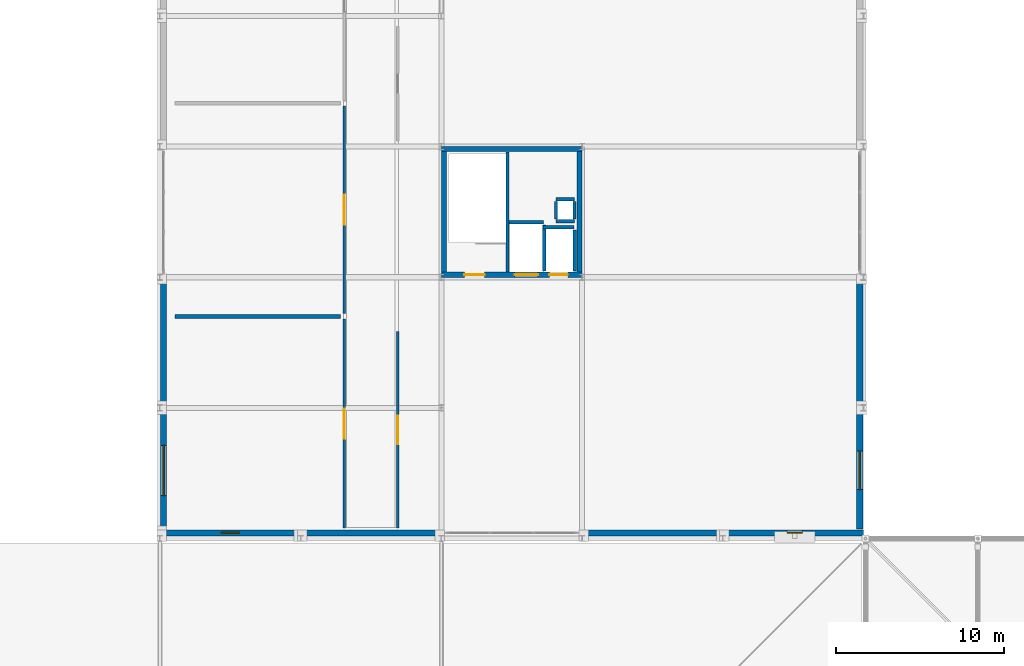
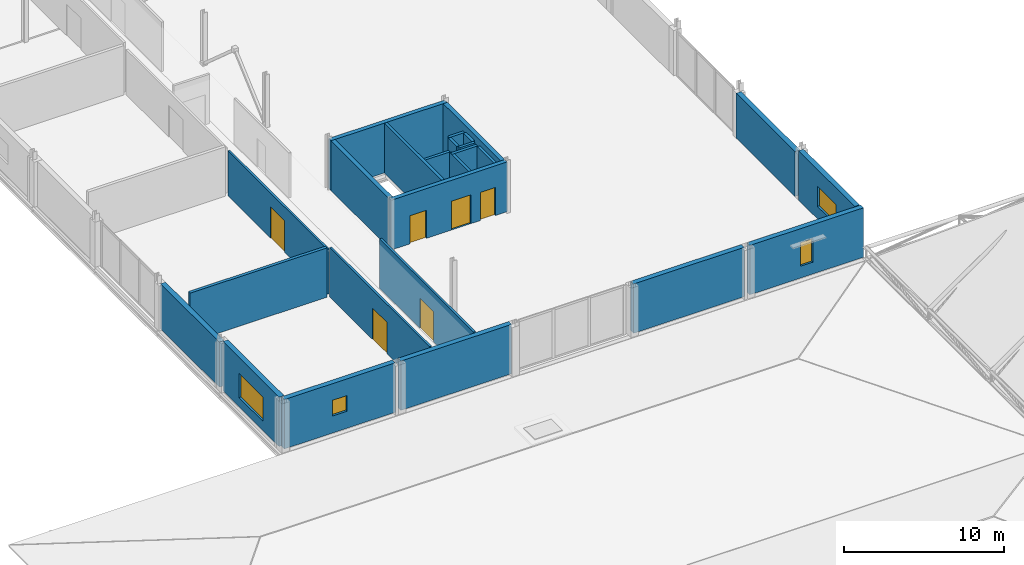
# One storey, part 55 of 77: 25 walls, 6 doors, 4 windows, 10 openings.
"""IFC4 building model written with IfcOpenShell, lengths in metres."""

from ifc_helpers import new_model, si_unit, direction, frame, frame_2d, origin, place, context, subcontext, project, spatial, rectangle, extrude, material, layer, layer_set, type_object, element, fill, save


model = new_model("IFC4")

# Units and contexts
model_context = context("Model", 3, precision=1e-05, world=origin(), true_north=direction((0.0, 1.0)))
body_context = subcontext(model_context, "Body", "Model", "MODEL_VIEW")
ifc_project = project(units=[si_unit("LENGTHUNIT", "METRE"), si_unit("AREAUNIT", "SQUARE_METRE"), si_unit("VOLUMEUNIT", "CUBIC_METRE"), si_unit("PLANEANGLEUNIT", "RADIAN"), si_unit("MASSUNIT", "GRAM", prefix="KILO")], contexts=[model_context])

# Site, building, storey
site_placement = place(None, origin())
site = spatial("IfcSite", under=ifc_project, at=site_placement, CompositionType="ELEMENT")
building_placement = place(site_placement, origin())
building = spatial("IfcBuilding", under=site, at=building_placement, Name="Nabrawat Pavilion Hospital", CompositionType="ELEMENT")
storey_placement = place(building_placement, frame((0.0, 0.0, 14.85009765625)))
storey = spatial("IfcBuildingStorey", under=building, at=storey_placement, Name="L03", CompositionType="ELEMENT", Elevation=14.85009765625)

# Wall, opening, door
ifc_material_1 = material(Name="Gypsum Fireboard on Steel Stud", Category="steel")
ifc_layer_1 = layer(ifc_material_1, 0.14990234375, Name="Gypsum Fireboard on Steel Stud")
ifc_layer_set_1 = layer_set([ifc_layer_1], Name="Gypsum Fireboard on Steel Stud")
wall_type_1 = type_object("IfcWallType", Name="Clinical Corridor Smoke-Barrier Wall 150", PredefinedType="PARTITIONING", material=ifc_layer_set_1)
wall_1_placement = place(storey_placement, frame((27.81005859375, 39.6201171875, 0.0), z_axis=(0.0, 0.0, 1.0), x_axis=(0.0, 1.0, 0.0)))
wall_1 = element("IfcWall", 1, at=wall_1_placement, inside=storey, type_object=wall_type_1, Name="L03 Operating Theatre 13 Burns Grafting L03-01 Front Partition", PredefinedType="PARTITIONING", context=body_context, shape_type="SweptSolid", body=[
    extrude(rectangle(XDim=12.482421875, YDim=0.14990234375, at=frame_2d((6.2412109375, 0.0))), origin(), (0.0, 0.0, 1.0), 3.77001953125),
])
opening_1_placement = place(wall_1_placement, frame((5.34130859375, 0.0, 0.0)))
opening_1 = element("IfcOpeningElement", 2, at=opening_1_placement, cuts=wall_1, Name="Opening D-OR", PredefinedType="OPENING", context=body_context, shape_type="SweptSolid", body=[
    extrude(rectangle(XDim=1.800048828125, YDim=2.39990234375, at=frame_2d((0.89990234375, 1.199951171875))), frame((0.0, 0.0849609375, 0.0), z_axis=(0.0, -1.0, 0.0), x_axis=(1.0, 0.0, 0.0)), (0.0, 0.0, 1.0), 0.169921875),
])
ifc_material_2 = material(Name="Stainless-Clad Acoustic Timber and Vision Glass", Category="wood")
door_type_1 = type_object("IfcDoorType", Name="D-OR Hermetic Operating Theatre Automatic Door 1800x2400", OperationType="DOUBLE_DOOR_SLIDING", PredefinedType="DOOR", material=ifc_material_2)
door_1_placement = place(opening_1_placement, origin())
door_1 = element("IfcDoor", 3, at=door_1_placement, inside=storey, type_object=door_type_1, Name="Operating Theatre 13 Burns Grafting L03-01 Door", OperationType="DOUBLE_DOOR_SLIDING", OverallHeight=2.39990234375, OverallWidth=1.800048828125, PredefinedType="DOOR", context=body_context, shape_type="SweptSolid", body=[
    extrude(rectangle(XDim=1.800048828125, YDim=2.39990234375, at=frame_2d((0.89990234375, 1.199951171875))), frame((0.0, 0.02490234375, 0.0), z_axis=(0.0, -1.0, 0.0), x_axis=(1.0, 0.0, 0.0)), (0.0, 0.0, 1.0), 0.050048828125),
])
fill(opening_1, door_1)

wall_2_placement = place(storey_placement, frame((27.81005859375, 52.422607421875, 0.0), z_axis=(0.0, 0.0, 1.0), x_axis=(0.0, 1.0, 0.0)))
wall_2 = element("IfcWall", 4, at=wall_2_placement, inside=storey, type_object=wall_type_1, Name="L03 Operating Theatre 14 Spine Navigation L03-02 Front Partition", PredefinedType="PARTITIONING", context=body_context, shape_type="SweptSolid", body=[
    extrude(rectangle(XDim=12.40234375, YDim=0.14990234375, at=frame_2d((6.201171875, 0.0))), origin(), (0.0, 0.0, 1.0), 3.43994140625),
])
opening_2_placement = place(wall_2_placement, frame((5.30126953125, 0.0, 0.0)))
opening_2 = element("IfcOpeningElement", 5, at=opening_2_placement, cuts=wall_2, Name="Opening D-OR", PredefinedType="OPENING", context=body_context, shape_type="SweptSolid", body=[
    extrude(rectangle(XDim=1.800048828125, YDim=2.39990234375, at=frame_2d((0.89990234375, 1.199951171875))), frame((0.0, 0.0849609375, 0.0), z_axis=(0.0, -1.0, 0.0), x_axis=(1.0, 0.0, 0.0)), (0.0, 0.0, 1.0), 0.169921875),
])
door_2_placement = place(opening_2_placement, origin())
door_2 = element("IfcDoor", 6, at=door_2_placement, inside=storey, type_object=door_type_1, Name="Operating Theatre 14 Spine Navigation L03-02 Door", OperationType="DOUBLE_DOOR_SLIDING", OverallHeight=2.39990234375, OverallWidth=1.800048828125, PredefinedType="DOOR", context=body_context, shape_type="SweptSolid", body=[
    extrude(rectangle(XDim=1.800048828125, YDim=2.39990234375, at=frame_2d((0.89990234375, 1.199951171875))), frame((0.0, 0.02490234375, 0.0), z_axis=(0.0, -1.0, 0.0), x_axis=(1.0, 0.0, 0.0)), (0.0, 0.0, 1.0), 0.050048828125),
])
fill(opening_2, door_2)

wall_3_placement = place(storey_placement, frame((30.989990234375, 39.6201171875, 0.0), z_axis=(0.0, 0.0, 1.0), x_axis=(0.0, 1.0, 0.0)))
wall_3 = element("IfcWall", 7, at=wall_3_placement, inside=storey, type_object=wall_type_1, Name="L03 Intensive Care Pod Burns Step-Down L03-05 Front Partition", PredefinedType="PARTITIONING", context=body_context, shape_type="SweptSolid", body=[
    extrude(rectangle(XDim=11.72998046875, YDim=0.14990234375, at=frame_2d((5.864990234375, 0.0))), origin(), (0.0, 0.0, 1.0), 3.77001953125),
])
opening_3_placement = place(wall_3_placement, frame((5.014892578125, 0.0, 0.0)))
opening_3 = element("IfcOpeningElement", 8, at=opening_3_placement, cuts=wall_3, Name="Opening D-ICU", PredefinedType="OPENING", context=body_context, shape_type="SweptSolid", body=[
    extrude(rectangle(XDim=1.699951171875, YDim=2.300048828125, at=frame_2d((0.85009765625, 1.14990234375))), frame((0.0, 0.0849609375, 0.0), z_axis=(0.0, -1.0, 0.0), x_axis=(1.0, 0.0, 0.0)), (0.0, 0.0, 1.0), 0.169921875),
])
door_type_2 = type_object("IfcDoorType", Name="Intensive Care Glazed Breakout Door 1700x2300", OperationType="DOUBLE_DOOR_SLIDING", PredefinedType="DOOR", material=ifc_material_2)
door_3_placement = place(opening_3_placement, origin())
door_3 = element("IfcDoor", 9, at=door_3_placement, inside=storey, type_object=door_type_2, Name="Intensive Care Pod Burns Step-Down L03-05 Door", OperationType="DOUBLE_DOOR_SLIDING", OverallHeight=2.300048828125, OverallWidth=1.699951171875, PredefinedType="DOOR", context=body_context, shape_type="SweptSolid", body=[
    extrude(rectangle(XDim=1.699951171875, YDim=2.300048828125, at=frame_2d((0.85009765625, 1.14990234375))), frame((0.0, 0.02490234375, 0.0), z_axis=(0.0, -1.0, 0.0), x_axis=(1.0, 0.0, 0.0)), (0.0, 0.0, 1.0), 0.050048828125),
])
fill(opening_3, door_3)

# Walls
ifc_material_3 = material(Name="Concrete C35/45", Category="concrete")
ifc_layer_2 = layer(ifc_material_3, 0.199951171875, Name="Concrete C35/45")
ifc_layer_set_2 = layer_set([ifc_layer_2], Name="Concrete C35/45")
wall_type_2 = type_object("IfcWallType", Name="Lift and Riser Fire Shaft Wall 200", PredefinedType="PARTITIONING", material=ifc_layer_set_2)
wall_4_placement = place(storey_placement, frame((37.550048828125, 54.919921875, 0.0), z_axis=(0.0, 0.0, 1.0), x_axis=(0.0, 1.0, 0.0)))
element("IfcWall", 10, at=wall_4_placement, inside=storey, type_object=wall_type_2, Name="L03 CORE-2 Stair-Lift Dividing Shear Wall", PredefinedType="SHEAR", context=body_context, shape_type="SweptSolid", body=[
    extrude(rectangle(XDim=7.16015625, YDim=0.199951171875, at=frame_2d((3.580078125, 0.0))), origin(), (0.0, 0.0, 1.0), 3.7998046875),
])
for number, where, z_axis, x_axis, name in (
    (11, (40.449951171875, 57.949951171875, 0.0), (0.0, 0.0, 1.0), (1.0, 0.0, 0.0), "L03 CORE-2 MEP Riser Shaft Wall S"),
    (12, (40.449951171875, 59.25, 0.0), (0.0, 0.0, 1.0), (1.0, 0.0, 0.0), "L03 CORE-2 MEP Riser Shaft Wall N"),
):
    element("IfcWall", number, at=place(storey_placement, frame(where, z_axis=z_axis, x_axis=x_axis)), inside=storey, type_object=wall_type_2, Name=name, PredefinedType="PARTITIONING", context=body_context, shape_type="SweptSolid", body=[
        extrude(rectangle(XDim=1.10009765625, YDim=0.199951171875, at=frame_2d((0.550048828125, 0.0))), origin(), (0.0, 0.0, 1.0), 3.43994140625),
    ])
for number, where, z_axis, x_axis, name in (
    (13, (40.449951171875, 58.070068359375, 0.0), (0.0, 0.0, 1.0), (0.0, 1.0, 0.0), "L03 CORE-2 MEP Riser Shaft Wall W"),
    (14, (41.550048828125, 58.070068359375, 0.0), (0.0, 0.0, 1.0), (0.0, 1.0, 0.0), "L03 CORE-2 MEP Riser Shaft Wall E"),
):
    element("IfcWall", number, at=place(storey_placement, frame(where, z_axis=z_axis, x_axis=x_axis)), inside=storey, type_object=wall_type_2, Name=name, PredefinedType="PARTITIONING", context=body_context, shape_type="SweptSolid", body=[
        extrude(rectangle(XDim=1.059814453125, YDim=0.199951171875, at=frame_2d((0.52978515625, 0.0))), origin(), (0.0, 0.0, 1.0), 3.43994140625),
    ])
wall_5_placement = place(storey_placement, frame((39.739990234375, 54.97998046875, 0.0), z_axis=(0.0, 0.0, 1.0), x_axis=(0.0, 1.0, 0.0)))
element("IfcWall", 15, at=wall_5_placement, inside=storey, type_object=wall_type_2, Name="L03 Lift LB-01 Shaft East Wall", PredefinedType="PARTITIONING", context=body_context, shape_type="SweptSolid", body=[
    extrude(rectangle(XDim=2.739990234375, YDim=0.199951171875, at=frame_2d((1.3701171875, 0.0))), origin(), (0.0, 0.0, 1.0), 3.43994140625),
])
wall_6_placement = place(storey_placement, frame((37.64990234375, 57.8798828125, 0.0), z_axis=(0.0, 0.0, 1.0), x_axis=(1.0, 0.0, 0.0)))
element("IfcWall", 16, at=wall_6_placement, inside=storey, type_object=wall_type_2, Name="L03 Lift LB-01 Shaft Back Wall", PredefinedType="PARTITIONING", context=body_context, shape_type="SweptSolid", body=[
    extrude(rectangle(XDim=2.06005859375, YDim=0.199951171875, at=frame_2d((1.030029296875, 0.0))), origin(), (0.0, 0.0, 1.0), 3.43994140625),
])
wall_7_placement = place(storey_placement, frame((41.56005859375, 54.97998046875, 0.0), z_axis=(0.0, 0.0, 1.0), x_axis=(0.0, 1.0, 0.0)))
element("IfcWall", 17, at=wall_7_placement, inside=storey, type_object=wall_type_2, Name="L03 Lift LS-01 Shaft East Wall", PredefinedType="PARTITIONING", context=body_context, shape_type="SweptSolid", body=[
    extrude(rectangle(XDim=2.43994140625, YDim=0.199951171875, at=frame_2d((1.219970703125, 0.0))), origin(), (0.0, 0.0, 1.0), 3.43994140625),
])
wall_8_placement = place(storey_placement, frame((39.669921875, 57.580078125, 0.0), z_axis=(0.0, 0.0, 1.0), x_axis=(1.0, 0.0, 0.0)))
element("IfcWall", 18, at=wall_8_placement, inside=storey, type_object=wall_type_2, Name="L03 Lift LS-01 Shaft Back Wall", PredefinedType="PARTITIONING", context=body_context, shape_type="SweptSolid", body=[
    extrude(rectangle(XDim=1.860107421875, YDim=0.199951171875, at=frame_2d((0.93017578125, 0.0))), origin(), (0.0, 0.0, 1.0), 3.43994140625),
])

# Wall, openings, doors
ifc_material_4 = material(Name="Concrete C40/50", Category="concrete")
ifc_layer_3 = layer(ifc_material_4, 0.300048828125, Name="Concrete C40/50")
ifc_layer_set_3 = layer_set([ifc_layer_3], Name="Concrete C40/50")
wall_type_3 = type_object("IfcWallType", Name="Reinforced Concrete Core Shear Wall 300", PredefinedType="SHEAR", material=ifc_layer_set_3)
wall_9_placement = place(storey_placement, frame((33.60009765625, 54.75, 0.0), z_axis=(0.0, 0.0, 1.0), x_axis=(1.0, 0.0, 0.0)))
wall_9 = element("IfcWall", 19, at=wall_9_placement, inside=storey, type_object=wall_type_3, Name="L03 CORE-2 South Core Shear Wall", PredefinedType="SHEAR", context=body_context, shape_type="SweptSolid", body=[
    extrude(rectangle(XDim=8.39990234375, YDim=0.300048828125, at=frame_2d((4.199951171875, 0.0))), origin(), (0.0, 0.0, 1.0), 3.7998046875),
])
opening_4_placement = place(wall_9_placement, frame((1.3798828125, 0.0, 0.0)))
opening_4 = element("IfcOpeningElement", 20, at=opening_4_placement, cuts=wall_9, Name="Opening D-STAIR", PredefinedType="OPENING", context=body_context, shape_type="SweptSolid", body=[
    extrude(rectangle(XDim=1.199951171875, YDim=2.14990234375, at=frame_2d((0.60009765625, 1.074951171875))), frame((0.0, 0.16015625, 0.0), z_axis=(0.0, -1.0, 0.0), x_axis=(1.0, 0.0, 0.0)), (0.0, 0.0, 1.0), 0.320068359375),
])
opening_5_placement = place(wall_9_placement, frame((4.3798828125, 0.0, 0.0)))
opening_5 = element("IfcOpeningElement", 21, at=opening_5_placement, cuts=wall_9, Name="Opening LD-LB-01", PredefinedType="OPENING", context=body_context, shape_type="SweptSolid", body=[
    extrude(rectangle(XDim=1.39990234375, YDim=2.199951171875, at=frame_2d((0.699951171875, 1.10009765625))), frame((0.0, 0.16015625, 0.0), z_axis=(0.0, -1.0, 0.0), x_axis=(1.0, 0.0, 0.0)), (0.0, 0.0, 1.0), 0.320068359375),
])
opening_6_placement = place(wall_9_placement, frame((6.449951171875, 0.0, 0.0)))
opening_6 = element("IfcOpeningElement", 22, at=opening_6_placement, cuts=wall_9, Name="Opening LD-LS-01", PredefinedType="OPENING", context=body_context, shape_type="SweptSolid", body=[
    extrude(rectangle(XDim=1.10009765625, YDim=2.14990234375, at=frame_2d((0.550048828125, 1.074951171875))), frame((0.0, 0.16015625, 0.0), z_axis=(0.0, -1.0, 0.0), x_axis=(1.0, 0.0, 0.0)), (0.0, 0.0, 1.0), 0.320068359375),
])
door_type_3 = type_object("IfcDoorType", Name="D-STAIR Exit Stair Fire Door 1200x2150", OperationType="NOTDEFINED", PredefinedType="DOOR", material=ifc_material_2)
door_4_placement = place(opening_4_placement, origin())
door_4 = element("IfcDoor", 23, at=door_4_placement, inside=storey, type_object=door_type_3, Name="L03 ST-02 Fire Exit Stair Door", OperationType="SINGLE_SWING_RIGHT", OverallHeight=2.14990234375, OverallWidth=1.199951171875, PredefinedType="DOOR", context=body_context, shape_type="SweptSolid", body=[
    extrude(rectangle(XDim=1.199951171875, YDim=2.14990234375, at=frame_2d((0.60009765625, 1.074951171875))), frame((0.0, 0.02490234375, 0.0), z_axis=(0.0, -1.0, 0.0), x_axis=(1.0, 0.0, 0.0)), (0.0, 0.0, 1.0), 0.050048828125),
])
fill(opening_4, door_4)
door_type_4 = type_object("IfcDoorType", Name="Hospital Bed Lift Sliding Landing Door 1400x2200", OperationType="DOUBLE_DOOR_SLIDING", PredefinedType="DOOR", material=ifc_material_2)
door_5_placement = place(opening_5_placement, origin())
door_5 = element("IfcDoor", 24, at=door_5_placement, inside=storey, type_object=door_type_4, Name="L03 Lift LB-01 Sliding Landing Door", OperationType="DOUBLE_DOOR_SLIDING", OverallHeight=2.199951171875, OverallWidth=1.39990234375, PredefinedType="DOOR", context=body_context, shape_type="SweptSolid", body=[
    extrude(rectangle(XDim=1.39990234375, YDim=2.199951171875, at=frame_2d((0.699951171875, 1.10009765625))), frame((0.0, 0.02490234375, 0.0), z_axis=(0.0, -1.0, 0.0), x_axis=(1.0, 0.0, 0.0)), (0.0, 0.0, 1.0), 0.050048828125),
])
fill(opening_5, door_5)
door_type_5 = type_object("IfcDoorType", Name="Passenger Lift Sliding Landing Door 1100x2150", OperationType="DOUBLE_DOOR_SLIDING", PredefinedType="DOOR", material=ifc_material_2)
door_6_placement = place(opening_6_placement, origin())
door_6 = element("IfcDoor", 25, at=door_6_placement, inside=storey, type_object=door_type_5, Name="L03 Lift LS-01 Sliding Landing Door", OperationType="DOUBLE_DOOR_SLIDING", OverallHeight=2.14990234375, OverallWidth=1.10009765625, PredefinedType="DOOR", context=body_context, shape_type="SweptSolid", body=[
    extrude(rectangle(XDim=1.10009765625, YDim=2.14990234375, at=frame_2d((0.550048828125, 1.074951171875))), frame((0.0, 0.02490234375, 0.0), z_axis=(0.0, -1.0, 0.0), x_axis=(1.0, 0.0, 0.0)), (0.0, 0.0, 1.0), 0.050048828125),
])
fill(opening_6, door_6)

# Walls
wall_10_placement = place(storey_placement, frame((33.60009765625, 62.25, 0.0), z_axis=(0.0, 0.0, 1.0), x_axis=(1.0, 0.0, 0.0)))
element("IfcWall", 26, at=wall_10_placement, inside=storey, type_object=wall_type_3, Name="L03 CORE-2 North Core Shear Wall", PredefinedType="SHEAR", context=body_context, shape_type="SweptSolid", body=[
    extrude(rectangle(XDim=8.39990234375, YDim=0.300048828125, at=frame_2d((4.199951171875, 0.0))), origin(), (0.0, 0.0, 1.0), 3.7998046875),
])
for number, where, z_axis, x_axis, name in (
    (27, (33.75, 54.89990234375, 0.0), (0.0, 0.0, 1.0), (0.0, 1.0, 0.0), "L03 CORE-2 West Core Shear Wall"),
    (28, (41.85009765625, 54.89990234375, 0.0), (0.0, 0.0, 1.0), (0.0, 1.0, 0.0), "L03 CORE-2 East Core Shear Wall"),
):
    element("IfcWall", number, at=place(storey_placement, frame(where, z_axis=z_axis, x_axis=x_axis)), inside=storey, type_object=wall_type_3, Name=name, PredefinedType="SHEAR", context=body_context, shape_type="SweptSolid", body=[
        extrude(rectangle(XDim=7.2001953125, YDim=0.300048828125, at=frame_2d((3.60009765625, 0.0))), origin(), (0.0, 0.0, 1.0), 3.7998046875),
    ])

# Wall, opening, window
ifc_material_5 = material(Name="Precast concrete C40/50", Category="concrete")
ifc_layer_4 = layer(ifc_material_5, 0.360107421875, Name="Precast concrete C40/50")
ifc_layer_set_4 = layer_set([ifc_layer_4], Name="Precast concrete C40/50")
wall_type_4 = type_object("IfcWallType", Name="Surgical Acoustic Precast Facade Wall 360", PredefinedType="SOLIDWALL", material=ifc_layer_set_4)
wall_11_placement = place(storey_placement, frame((17.02001953125, 39.56005859375, 0.0), z_axis=(0.0, 0.0, 1.0), x_axis=(0.0, 1.0, 0.0)))
wall_11 = element("IfcWall", 29, at=wall_11_placement, inside=storey, type_object=wall_type_4, Name="L03 Surgical Acoustic Precast Facade Wall 360 300", PredefinedType="SOLIDWALL", context=body_context, shape_type="SweptSolid", body=[
    extrude(rectangle(XDim=7.014892578125, YDim=0.360107421875, at=frame_2d((3.50732421875, 0.0))), origin(), (0.0, 0.0, 1.0), 3.77001953125),
])
opening_7_placement = place(wall_11_placement, frame((2.007568359375, 0.0, 0.699951171875)))
opening_7 = element("IfcOpeningElement", 30, at=opening_7_placement, cuts=wall_11, Name="Opening WN-16", PredefinedType="OPENING", context=body_context, shape_type="SweptSolid", body=[
    extrude(rectangle(XDim=3.0, YDim=1.85009765625, at=frame_2d((1.5, 0.925048828125))), frame((0.0, 0.18994140625, 0.0), z_axis=(0.0, -1.0, 0.0), x_axis=(1.0, 0.0, 0.0)), (0.0, 0.0, 1.0), 0.380126953125),
])
ifc_material_6 = material(Name="Thermally Broken Aluminium and Solar Glass", Category="aluminium")
window_type_1 = type_object("IfcWindowType", Name="VIP Suite Panoramic Window 3000x1850", PartitioningType="SINGLE_PANEL", PredefinedType="WINDOW", material=ifc_material_6)
window_1_placement = place(opening_7_placement, origin())
window_1 = element("IfcWindow", 31, at=window_1_placement, inside=storey, type_object=window_type_1, Name="L03 VIP Suite Panoramic Window 3000x1850 112", OverallHeight=1.85009765625, OverallWidth=3.0, PartitioningType="SINGLE_PANEL", PredefinedType="WINDOW", context=body_context, shape_type="SweptSolid", body=[
    extrude(rectangle(XDim=3.0, YDim=1.85009765625, at=frame_2d((1.5, 0.925048828125))), frame((0.0, 0.030029296875, 0.0), z_axis=(0.0, -1.0, 0.0), x_axis=(1.0, 0.0, 0.0)), (0.0, 0.0, 1.0), 0.06005859375),
])
fill(opening_7, window_1)

# Wall
wall_12_placement = place(storey_placement, frame((17.02001953125, 47.02490234375, 0.0), z_axis=(0.0, 0.0, 1.0), x_axis=(0.0, 1.0, 0.0)))
element("IfcWall", 32, at=wall_12_placement, inside=storey, type_object=wall_type_4, Name="L03 Surgical Acoustic Precast Facade Wall 360 301", PredefinedType="SOLIDWALL", context=body_context, shape_type="SweptSolid", body=[
    extrude(rectangle(XDim=7.35009765625, YDim=0.360107421875, at=frame_2d((3.675048828125, 0.0))), origin(), (0.0, 0.0, 1.0), 3.43994140625),
])

# Wall, opening, window
wall_13_placement = place(storey_placement, frame((17.0, 39.340087890625, 0.0), z_axis=(0.0, 0.0, 1.0), x_axis=(1.0, 0.0, 0.0)))
wall_13 = element("IfcWall", 33, at=wall_13_placement, inside=storey, type_object=wall_type_4, Name="L03 Surgical Acoustic Precast Facade Wall 360 306", PredefinedType="SOLIDWALL", context=body_context, shape_type="SweptSolid", body=[
    extrude(rectangle(XDim=8.0, YDim=0.360107421875, at=frame_2d((4.0, 0.0))), origin(), (0.0, 0.0, 1.0), 3.77001953125),
])
opening_8_placement = place(wall_13_placement, frame((3.47509765625, 0.0, 1.300048828125)))
opening_8 = element("IfcOpeningElement", 34, at=opening_8_placement, cuts=wall_13, Name="Opening WN-18", PredefinedType="OPENING", context=body_context, shape_type="SweptSolid", body=[
    extrude(rectangle(XDim=1.050048828125, YDim=1.199951171875, at=frame_2d((0.52490234375, 0.60009765625))), frame((0.0, 0.18994140625, 0.0), z_axis=(0.0, -1.0, 0.0), x_axis=(1.0, 0.0, 0.0)), (0.0, 0.0, 1.0), 0.380126953125),
])
window_type_2 = type_object("IfcWindowType", Name="Pharmacy Daylight Slot Window 1050x1200", PartitioningType="SINGLE_PANEL", PredefinedType="WINDOW", material=ifc_material_6)
window_2_placement = place(opening_8_placement, origin())
window_2 = element("IfcWindow", 35, at=window_2_placement, inside=storey, type_object=window_type_2, Name="L03 Pharmacy Daylight Slot Window 1050x1200 114", OverallHeight=1.199951171875, OverallWidth=1.050048828125, PartitioningType="SINGLE_PANEL", PredefinedType="WINDOW", context=body_context, shape_type="SweptSolid", body=[
    extrude(rectangle(XDim=1.050048828125, YDim=1.199951171875, at=frame_2d((0.52490234375, 0.60009765625))), frame((0.0, 0.030029296875, 0.0), z_axis=(0.0, -1.0, 0.0), x_axis=(1.0, 0.0, 0.0)), (0.0, 0.0, 1.0), 0.06005859375),
])
fill(opening_8, window_2)

# Walls
for number, where, z_axis, x_axis, name in (
    (36, (25.39990234375, 39.340087890625, 0.0), (0.0, 0.0, 1.0), (1.0, 0.0, 0.0), "L03 Surgical Acoustic Precast Facade Wall 360 307"),
    (37, (42.199951171875, 39.340087890625, 0.0), (0.0, 0.0, 1.0), (1.0, 0.0, 0.0), "L03 Surgical Acoustic Precast Facade Wall 360 308"),
):
    element("IfcWall", number, at=place(storey_placement, frame(where, z_axis=z_axis, x_axis=x_axis)), inside=storey, type_object=wall_type_4, Name=name, PredefinedType="SOLIDWALL", context=body_context, shape_type="SweptSolid", body=[
        extrude(rectangle(XDim=8.0, YDim=0.360107421875, at=frame_2d((4.0, 0.0))), origin(), (0.0, 0.0, 1.0), 3.77001953125),
    ])

# Wall, opening, window
wall_14_placement = place(storey_placement, frame((50.60009765625, 39.340087890625, 0.0), z_axis=(0.0, 0.0, 1.0), x_axis=(1.0, 0.0, 0.0)))
wall_14 = element("IfcWall", 38, at=wall_14_placement, inside=storey, type_object=wall_type_4, Name="L03 Surgical Acoustic Precast Facade Wall 360 309", PredefinedType="SOLIDWALL", context=body_context, shape_type="SweptSolid", body=[
    extrude(rectangle(XDim=8.199951171875, YDim=0.360107421875, at=frame_2d((4.10009765625, 0.0))), origin(), (0.0, 0.0, 1.0), 3.77001953125),
])
opening_9_placement = place(wall_14_placement, frame((3.64990234375, 0.0, 0.89990234375)))
opening_9 = element("IfcOpeningElement", 39, at=opening_9_placement, cuts=wall_14, Name="Opening WN-19", PredefinedType="OPENING", context=body_context, shape_type="SweptSolid", body=[
    extrude(rectangle(XDim=0.89990234375, YDim=1.800048828125, at=frame_2d((0.449951171875, 0.89990234375))), frame((0.0, 0.18994140625, 0.0), z_axis=(0.0, -1.0, 0.0), x_axis=(1.0, 0.0, 0.0)), (0.0, 0.0, 1.0), 0.380126953125),
])
window_type_3 = type_object("IfcWindowType", Name="Stair Core Natural Light Slot 900x1800", PartitioningType="SINGLE_PANEL", PredefinedType="WINDOW", material=ifc_material_6)
window_3_placement = place(opening_9_placement, origin())
window_3 = element("IfcWindow", 40, at=window_3_placement, inside=storey, type_object=window_type_3, Name="L03 Stair Core Natural Light Slot 900x1800 115", OverallHeight=1.800048828125, OverallWidth=0.89990234375, PartitioningType="SINGLE_PANEL", PredefinedType="WINDOW", context=body_context, shape_type="SweptSolid", body=[
    extrude(rectangle(XDim=0.89990234375, YDim=1.800048828125, at=frame_2d((0.449951171875, 0.89990234375))), frame((0.0, 0.030029296875, 0.0), z_axis=(0.0, -1.0, 0.0), x_axis=(1.0, 0.0, 0.0)), (0.0, 0.0, 1.0), 0.06005859375),
])
fill(opening_9, window_3)

wall_15_placement = place(storey_placement, frame((58.580078125, 39.56005859375, 0.0), z_axis=(0.0, 0.0, 1.0), x_axis=(0.0, 1.0, 0.0)))
wall_15 = element("IfcWall", 41, at=wall_15_placement, inside=storey, type_object=wall_type_4, Name="L03 Surgical Acoustic Precast Facade Wall 360 312", PredefinedType="SOLIDWALL", context=body_context, shape_type="SweptSolid", body=[
    extrude(rectangle(XDim=7.014892578125, YDim=0.360107421875, at=frame_2d((3.50732421875, 0.0))), origin(), (0.0, 0.0, 1.0), 3.77001953125),
])
opening_10_placement = place(wall_15_placement, frame((2.357421875, 0.0, 0.949951171875)))
opening_10 = element("IfcOpeningElement", 42, at=opening_10_placement, cuts=wall_15, Name="Opening WN-21", PredefinedType="OPENING", context=body_context, shape_type="SweptSolid", body=[
    extrude(rectangle(XDim=2.300048828125, YDim=1.550048828125, at=frame_2d((1.14990234375, 0.77490234375))), frame((0.0, 0.18994140625, 0.0), z_axis=(0.0, -1.0, 0.0), x_axis=(1.0, 0.0, 0.0)), (0.0, 0.0, 1.0), 0.380126953125),
])
window_type_4 = type_object("IfcWindowType", Name="Sunken Forecourt Metro Window 2300x1550", PartitioningType="SINGLE_PANEL", PredefinedType="WINDOW", material=ifc_material_6)
window_4_placement = place(opening_10_placement, origin())
window_4 = element("IfcWindow", 43, at=window_4_placement, inside=storey, type_object=window_type_4, Name="L03 Sunken Forecourt Metro Window 2300x1550 117", OverallHeight=1.550048828125, OverallWidth=2.300048828125, PartitioningType="SINGLE_PANEL", PredefinedType="WINDOW", context=body_context, shape_type="SweptSolid", body=[
    extrude(rectangle(XDim=2.300048828125, YDim=1.550048828125, at=frame_2d((1.14990234375, 0.77490234375))), frame((0.0, 0.030029296875, 0.0), z_axis=(0.0, -1.0, 0.0), x_axis=(1.0, 0.0, 0.0)), (0.0, 0.0, 1.0), 0.06005859375),
])
fill(opening_10, window_4)

# Walls
wall_16_placement = place(storey_placement, frame((58.580078125, 47.02490234375, 0.0), z_axis=(0.0, 0.0, 1.0), x_axis=(0.0, 1.0, 0.0)))
element("IfcWall", 44, at=wall_16_placement, inside=storey, type_object=wall_type_4, Name="L03 Surgical Acoustic Precast Facade Wall 360 313", PredefinedType="SOLIDWALL", context=body_context, shape_type="SweptSolid", body=[
    extrude(rectangle(XDim=7.35009765625, YDim=0.360107421875, at=frame_2d((3.675048828125, 0.0))), origin(), (0.0, 0.0, 1.0), 3.43994140625),
])
ifc_material_7 = material(Name="Hygienic Gypsum and Lead Core", Category="gypsum")
ifc_layer_5 = layer(ifc_material_7, 0.219970703125, Name="Hygienic Gypsum and Lead Core")
ifc_layer_set_5 = layer_set([ifc_layer_5], Name="Hygienic Gypsum and Lead Core")
wall_type_5 = type_object("IfcWallType", Name="Surgical Hygienic Lead-Shielded Wall 220", PredefinedType="PARTITIONING", material=ifc_layer_set_5)
wall_17_placement = place(storey_placement, frame((17.68994140625, 52.262451171875, 0.0), z_axis=(0.0, 0.0, 1.0), x_axis=(1.0, 0.0, 0.0)))
element("IfcWall", 45, at=wall_17_placement, inside=storey, type_object=wall_type_5, Name="L03 Operating Theatre 13 Burns Grafting L03-01 Dividing Partition", PredefinedType="PARTITIONING", context=body_context, shape_type="SweptSolid", body=[
    extrude(rectangle(XDim=9.900146484375, YDim=0.219970703125, at=frame_2d((4.9501953125, 0.0))), origin(), (0.0, 0.0, 1.0), 3.77001953125),
])

save(model, "model.ifc")
